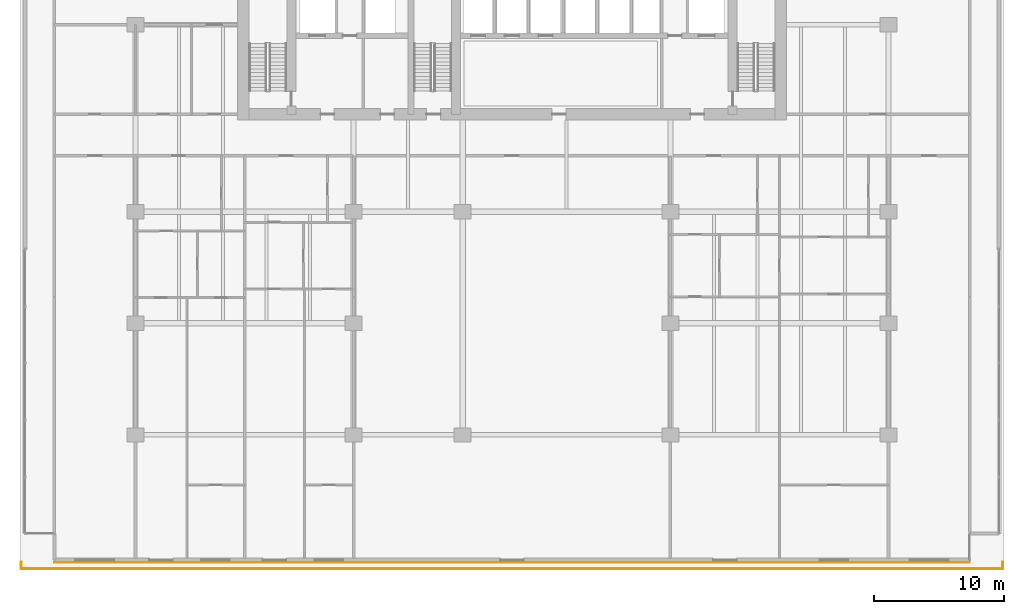
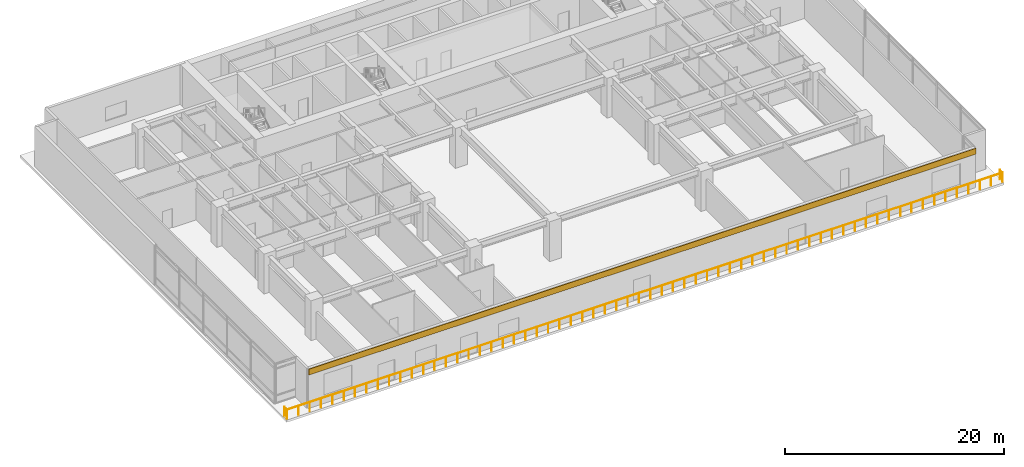
# One storey, part 11 of 13: 1 covering, 1 railing.
"""IFC4 building model written with IfcOpenShell, lengths in metres."""

import ifcopenshell
import ifcopenshell.guid

model = None  # the IFC model being written
_history = None  # IfcOwnerHistory: only IFC2X3 demands one
_inside = {}  # id of a spatial element -> (the spatial element, [elements in it])
_under = {}  # id of a project, library or spatial element -> (it, [spatial elements below it])
_declared = {}  # id of a project -> (the project, [libraries it declares])
_typed = {}  # id of a type object -> (the type object, [elements of that type])
_made_of = {}  # id of a material, layer set ... -> (it, [elements and type objects made of it])


def new_model(schema):
    """Start an empty IFC model of exactly this schema.

    Asked for "IFC4X3", IfcOpenShell would pick the latest addendum, in which some entities
    have other attributes; the version numbers below select the first issue.
    IFC2X3 requires an IfcOwnerHistory on every rooted entity: one is made here for all.
    """
    global model, _history
    if schema == "IFC4X3":
        model = ifcopenshell.file(schema_version=(4, 3, 0, 0))
    else:
        model = ifcopenshell.file(schema=schema)
    _inside.clear()
    _under.clear()
    _declared.clear()
    _typed.clear()
    _made_of.clear()
    _history = None
    if model.schema == "IFC2X3":
        org = make("IfcOrganization", Name="unknown")
        user = make(
            "IfcPersonAndOrganization",
            ThePerson=make("IfcPerson", FamilyName="unknown"),
            TheOrganization=org,
        )
        app = make(
            "IfcApplication",
            ApplicationDeveloper=org,
            Version="unknown",
            ApplicationFullName="unknown",
            ApplicationIdentifier="unknown",
        )
        _history = make(
            "IfcOwnerHistory",
            OwningUser=user,
            OwningApplication=app,
            ChangeAction="ADDED",
            CreationDate=0,
        )
    return model


def make(cls, **values):
    """One entity of the class cls with the attributes given. An attribute that is None is left unset."""
    return model.create_entity(
        cls, **{name: value for name, value in values.items() if value is not None}
    )


def rooted(cls, **values):
    """An entity with a GlobalId (a new one), such as an element, a storey or a relation."""
    return make(cls, GlobalId=ifcopenshell.guid.new(), OwnerHistory=_history, **values)


def si_unit(unit_type, name, prefix=None):
    """IfcSIUnit, for example si_unit("LENGTHUNIT", "METRE", prefix="MILLI")."""
    return make("IfcSIUnit", UnitType=unit_type, Prefix=prefix, Name=name)


def assignment(units):
    """IfcUnitAssignment: the units of a project."""
    return None if units is None else make("IfcUnitAssignment", Units=units)


def point(xyz):
    """IfcCartesianPoint."""
    return None if xyz is None else make("IfcCartesianPoint", Coordinates=xyz)


def direction(xyz):
    """IfcDirection."""
    return None if xyz is None else make("IfcDirection", DirectionRatios=xyz)


def frame(location, z_axis=None, x_axis=None):
    """IfcAxis2Placement3D, a coordinate frame: its origin and axes. An axis left out is left unset."""
    return make(
        "IfcAxis2Placement3D",
        Location=point(location),
        Axis=direction(z_axis),
        RefDirection=direction(x_axis),
    )


def frame_2d(location, x_axis=None):
    """IfcAxis2Placement2D, a coordinate frame in the plane: its origin and x axis."""
    return make(
        "IfcAxis2Placement2D", Location=point(location), RefDirection=direction(x_axis)
    )


def origin():
    """The frame at (0, 0, 0) with its axes left unset."""
    return frame((0.0, 0.0, 0.0))


def origin_2d():
    """The frame at (0, 0) in the plane with its x axis left unset."""
    return frame_2d((0.0, 0.0))


def place(relative_to, where):
    """IfcLocalPlacement: puts the frame where relative to a parent placement (None: the world)."""
    return make(
        "IfcLocalPlacement", PlacementRelTo=relative_to, RelativePlacement=where
    )


def context(
    kind, dimensions, precision=None, world=None, true_north=None, identifier=None
):
    """IfcGeometricRepresentationContext, for example the 3D "Model" context."""
    return make(
        "IfcGeometricRepresentationContext",
        ContextIdentifier=identifier,
        ContextType=kind,
        CoordinateSpaceDimension=dimensions,
        Precision=precision,
        WorldCoordinateSystem=world,
        TrueNorth=true_north,
    )


def subcontext(parent, identifier, kind, view, scale=None):
    """IfcGeometricRepresentationSubContext, for example "Body" below "Model"."""
    return make(
        "IfcGeometricRepresentationSubContext",
        ContextIdentifier=identifier,
        ContextType=kind,
        ParentContext=parent,
        TargetScale=scale,
        TargetView=view,
    )


def project(units=None, contexts=None):
    """IfcProject with its units and contexts."""
    return rooted(
        "IfcProject",
        Name="project",
        RepresentationContexts=contexts,
        UnitsInContext=assignment(units),
    )


def spatial(cls, under=None, at=None, **own):
    """A site, building, storey or space (cls), placed at a placement, below another one or the project."""
    s = rooted(cls, ObjectPlacement=at, **own)
    if under is not None:
        _under.setdefault(under.id(), (under, []))[1].append(s)
    return s


def profile(cls, at=None, kind="AREA", **sizes):
    """A parametric profile (cls). Its sizes go by their IFC names, for example OverallWidth=200.0."""
    return make(cls, ProfileType=kind, Position=at, **sizes)


def rectangle(**sizes):
    """IfcRectangleProfileDef."""
    return profile("IfcRectangleProfileDef", **sizes)


def circle(**sizes):
    """IfcCircleProfileDef."""
    return profile("IfcCircleProfileDef", **sizes)


def extrude(swept, where, along, depth):
    """IfcExtrudedAreaSolid: the profile swept, set in the frame where, extruded along a direction by depth."""
    return make(
        "IfcExtrudedAreaSolid",
        SweptArea=swept,
        Position=where,
        ExtrudedDirection=direction(along),
        Depth=depth,
    )


def shape(context_of_items, identifier, shape_type, items):
    """IfcShapeRepresentation: the items that make up one representation, for example the "Body"."""
    return make(
        "IfcShapeRepresentation",
        ContextOfItems=context_of_items,
        RepresentationIdentifier=identifier,
        RepresentationType=shape_type,
        Items=items,
    )


def material(Name=None, Category=None):
    """IfcMaterial."""
    return make("IfcMaterial", Name=Name, Category=Category)


def layer(
    of_material, thickness, ventilated=None, Name=None, Category=None, Priority=None
):
    """IfcMaterialLayer: one layer of a wall or slab, of a material (None: an air gap)."""
    return make(
        "IfcMaterialLayer",
        Material=of_material,
        LayerThickness=thickness,
        IsVentilated=ventilated,
        Name=Name,
        Category=Category,
        Priority=Priority,
    )


def layer_set(layers, Name=None):
    """IfcMaterialLayerSet."""
    return make("IfcMaterialLayerSet", MaterialLayers=layers, LayerSetName=Name)


def made_of(thing, what):
    """Note that an element or type object is made of a material, layer set ...; save() writes the relation."""
    if what is not None:
        _made_of.setdefault(what.id(), (what, []))[1].append(thing)
    return thing


def type_object(cls, material=None, **own):
    """A type object (cls), such as IfcWallType, which elements share."""
    return made_of(rooted(cls, **own), material)


def element(
    cls,
    number,
    at=None,
    inside=None,
    cuts=None,
    type_object=None,
    material=None,
    context=None,
    identifier="Body",
    shape_type=None,
    held_by="IfcProductDefinitionShape",
    body=None,
    shapes=None,
    **own,
):
    """One element of the class cls, such as IfcWall. Its Tag is "e" and its number.

    at: its placement. inside: the storey or other place that contains it. cuts: it is an
    opening in that element (IfcRelVoidsElement). A single representation is given by context,
    identifier, shape_type and body (its items); several are given by shapes. held_by: the class
    of the entity that holds the representations. save() writes the other relations.
    """
    e = rooted(cls, Tag="e%d" % number, ObjectPlacement=at, **own)
    if body is not None:
        shapes = [shape(context, identifier, shape_type, body)]
    if shapes is not None:
        e.Representation = make(held_by, Representations=shapes)
    if inside is not None:
        _inside.setdefault(inside.id(), (inside, []))[1].append(e)
    if cuts is not None:
        rooted(
            "IfcRelVoidsElement", RelatingBuildingElement=cuts, RelatedOpeningElement=e
        )
    if type_object is not None:
        _typed.setdefault(type_object.id(), (type_object, []))[1].append(e)
    return made_of(e, material)


def aggregate(whole, parts):
    """IfcRelAggregates: a whole, such as a stair, and the parts it consists of."""
    return rooted("IfcRelAggregates", RelatingObject=whole, RelatedObjects=parts)


def save(model, path):
    """Write the relations noted so far, then the file.

    IfcRelAggregates (storeys below a building ...), IfcRelContainedInSpatialStructure (elements
    in a storey), IfcRelDefinesByType, IfcRelAssociatesMaterial and IfcRelDeclares: one each for
    every whole, place, type object, material and project.
    """
    for whole, parts in _under.values():
        aggregate(whole, parts)
    for where, things in _inside.values():
        rooted(
            "IfcRelContainedInSpatialStructure",
            RelatedElements=things,
            RelatingStructure=where,
        )
    for kind, things in _typed.values():
        rooted("IfcRelDefinesByType", RelatedObjects=things, RelatingType=kind)
    for what, things in _made_of.values():
        rooted("IfcRelAssociatesMaterial", RelatedObjects=things, RelatingMaterial=what)
    for by, libraries in _declared.values():
        rooted("IfcRelDeclares", RelatingContext=by, RelatedDefinitions=libraries)
    model.write(path)


model = new_model("IFC4")

# Units and contexts
model_context = context("Model", 3, precision=1e-05, world=origin(), true_north=direction((0.0, 1.0)))
body_context = subcontext(model_context, "Body", "Model", "MODEL_VIEW")
ifc_project = project(units=[si_unit("LENGTHUNIT", "METRE"), si_unit("AREAUNIT", "SQUARE_METRE"), si_unit("VOLUMEUNIT", "CUBIC_METRE"), si_unit("PLANEANGLEUNIT", "RADIAN"), si_unit("MASSUNIT", "GRAM", prefix="KILO")], contexts=[model_context])

# Site, building, storey
site_placement = place(None, origin())
site = spatial("IfcSite", under=ifc_project, at=site_placement, CompositionType="ELEMENT")
building_placement = place(site_placement, origin())
building = spatial("IfcBuilding", under=site, at=building_placement, Name="Caelmar Bay Residences", CompositionType="ELEMENT")
storey_placement = place(building_placement, frame((0.0, 0.0, 19.800048828125)))
storey = spatial("IfcBuildingStorey", under=building, at=storey_placement, Name="L04", CompositionType="ELEMENT", Elevation=19.800048828125)

# Covering
ifc_material_1 = material(Name="Honed Florida oolitic limestone rainscreen 60 mm", Category="masonry")
ifc_layer = layer(ifc_material_1, 0.06005859375)
ifc_layer_set = layer_set([ifc_layer], Name="Honed Florida oolitic limestone rainscreen 60 mm")
covering_type = type_object("IfcCoveringType", Name="COV-CLAD-60", PredefinedType="CLADDING", material=ifc_layer_set)
covering_placement = place(storey_placement, frame((38.89990234375, 2.3701171875, 3.77490234375), z_axis=(0.0, 0.0, 1.0), x_axis=(1.0, 0.0, 0.0)))
element("IfcCovering", 1, at=covering_placement, inside=storey, type_object=covering_type, Name="L04 Oolitic Limestone Spandrel Cladding", PredefinedType="CLADDING", context=body_context, shape_type="SweptSolid", body=[
    extrude(rectangle(XDim=70.5, YDim=0.06005859375, at=origin_2d()), origin(), (0.0, 0.0, 1.0), 0.64990234375),
])

# Railing
ifc_material_2 = material(Name="Anodised bronze handrail with laminated hurricane glass infill", Category="glass")
railing_type = type_object("IfcRailingType", Name="RL-BAL-1100", PredefinedType="BALUSTRADE", material=ifc_material_2)
railing_placement = place(storey_placement, frame((1.10009765625, 2.39990234375, 0.0)))
element("IfcRailing", 2, at=railing_placement, inside=storey, type_object=railing_type, Name="L04 Planted Terrace Perimeter Balustrade", PredefinedType="BALUSTRADE", context=body_context, shape_type="SweptSolid", body=[
    extrude(circle(Radius=0.02392578125, at=origin_2d()), frame((0.0, 0.0, 1.076171875), z_axis=(0.0, -1.0, 0.0), x_axis=(1.0, 0.0, 0.0)), (0.0, 0.0, 1.0), 0.5),
    extrude(circle(Radius=0.02392578125, at=origin_2d()), frame((0.0, -0.5, 1.076171875), z_axis=(1.0, 0.0, 0.0), x_axis=(0.0, 1.0, 0.0)), (0.0, 0.0, 1.0), 75.599853515625),
    extrude(circle(Radius=0.02392578125, at=origin_2d()), frame((75.599853515625, -0.5, 1.076171875), z_axis=(0.0, 1.0, 0.0), x_axis=(-1.0, 0.0, 0.0)), (0.0, 0.0, 1.0), 0.5),
    extrude(circle(Radius=0.02099609375, at=origin_2d()), origin(), (0.0, 0.0, 1.0), 1.052001953125),
    extrude(circle(Radius=0.02099609375, at=origin_2d()), frame((0.0, -0.5, 0.0)), (0.0, 0.0, 1.0), 1.052001953125),
    extrude(circle(Radius=0.02099609375, at=origin_2d()), frame((1.199951171875, -0.5, 0.0)), (0.0, 0.0, 1.0), 1.052001953125),
    extrude(circle(Radius=0.02099609375, at=origin_2d()), frame((2.39990234375, -0.5, 0.0)), (0.0, 0.0, 1.0), 1.052001953125),
    extrude(circle(Radius=0.02099609375, at=origin_2d()), frame((3.60009765625, -0.5, 0.0)), (0.0, 0.0, 1.0), 1.052001953125),
    extrude(circle(Radius=0.02099609375, at=origin_2d()), frame((4.800048828125, -0.5, 0.0)), (0.0, 0.0, 1.0), 1.052001953125),
    extrude(circle(Radius=0.02099609375, at=origin_2d()), frame((6.0, -0.5, 0.0)), (0.0, 0.0, 1.0), 1.052001953125),
    extrude(circle(Radius=0.02099609375, at=origin_2d()), frame((7.199951171875, -0.5, 0.0)), (0.0, 0.0, 1.0), 1.052001953125),
    extrude(circle(Radius=0.02099609375, at=origin_2d()), frame((8.39990234375, -0.5, 0.0)), (0.0, 0.0, 1.0), 1.052001953125),
    extrude(circle(Radius=0.02099609375, at=origin_2d()), frame((9.60009765625, -0.5, 0.0)), (0.0, 0.0, 1.0), 1.052001953125),
    extrude(circle(Radius=0.02099609375, at=origin_2d()), frame((10.800048828125, -0.5, 0.0)), (0.0, 0.0, 1.0), 1.052001953125),
    extrude(circle(Radius=0.02099609375, at=origin_2d()), frame((12.0, -0.5, 0.0)), (0.0, 0.0, 1.0), 1.052001953125),
    extrude(circle(Radius=0.02099609375, at=origin_2d()), frame((13.199951171875, -0.5, 0.0)), (0.0, 0.0, 1.0), 1.052001953125),
    extrude(circle(Radius=0.02099609375, at=origin_2d()), frame((14.39990234375, -0.5, 0.0)), (0.0, 0.0, 1.0), 1.052001953125),
    extrude(circle(Radius=0.02099609375, at=origin_2d()), frame((15.599853515625, -0.5, 0.0)), (0.0, 0.0, 1.0), 1.052001953125),
    extrude(circle(Radius=0.02099609375, at=origin_2d()), frame((16.800048828125, -0.5, 0.0)), (0.0, 0.0, 1.0), 1.052001953125),
    extrude(circle(Radius=0.02099609375, at=origin_2d()), frame((18.0, -0.5, 0.0)), (0.0, 0.0, 1.0), 1.052001953125),
    extrude(circle(Radius=0.02099609375, at=origin_2d()), frame((19.199951171875, -0.5, 0.0)), (0.0, 0.0, 1.0), 1.052001953125),
    extrude(circle(Radius=0.02099609375, at=origin_2d()), frame((20.39990234375, -0.5, 0.0)), (0.0, 0.0, 1.0), 1.052001953125),
    extrude(circle(Radius=0.02099609375, at=origin_2d()), frame((21.599853515625, -0.5, 0.0)), (0.0, 0.0, 1.0), 1.052001953125),
    extrude(circle(Radius=0.02099609375, at=origin_2d()), frame((22.800048828125, -0.5, 0.0)), (0.0, 0.0, 1.0), 1.052001953125),
    extrude(circle(Radius=0.02099609375, at=origin_2d()), frame((24.0, -0.5, 0.0)), (0.0, 0.0, 1.0), 1.052001953125),
    extrude(circle(Radius=0.02099609375, at=origin_2d()), frame((25.199951171875, -0.5, 0.0)), (0.0, 0.0, 1.0), 1.052001953125),
    extrude(circle(Radius=0.02099609375, at=origin_2d()), frame((26.39990234375, -0.5, 0.0)), (0.0, 0.0, 1.0), 1.052001953125),
    extrude(circle(Radius=0.02099609375, at=origin_2d()), frame((27.599853515625, -0.5, 0.0)), (0.0, 0.0, 1.0), 1.052001953125),
    extrude(circle(Radius=0.02099609375, at=origin_2d()), frame((28.800048828125, -0.5, 0.0)), (0.0, 0.0, 1.0), 1.052001953125),
    extrude(circle(Radius=0.02099609375, at=origin_2d()), frame((30.0, -0.5, 0.0)), (0.0, 0.0, 1.0), 1.052001953125),
    extrude(circle(Radius=0.02099609375, at=origin_2d()), frame((31.199951171875, -0.5, 0.0)), (0.0, 0.0, 1.0), 1.052001953125),
    extrude(circle(Radius=0.02099609375, at=origin_2d()), frame((32.39990234375, -0.5, 0.0)), (0.0, 0.0, 1.0), 1.052001953125),
    extrude(circle(Radius=0.02099609375, at=origin_2d()), frame((33.599853515625, -0.5, 0.0)), (0.0, 0.0, 1.0), 1.052001953125),
    extrude(circle(Radius=0.02099609375, at=origin_2d()), frame((34.800048828125, -0.5, 0.0)), (0.0, 0.0, 1.0), 1.052001953125),
    extrude(circle(Radius=0.02099609375, at=origin_2d()), frame((36.0, -0.5, 0.0)), (0.0, 0.0, 1.0), 1.052001953125),
    extrude(circle(Radius=0.02099609375, at=origin_2d()), frame((37.199951171875, -0.5, 0.0)), (0.0, 0.0, 1.0), 1.052001953125),
    extrude(circle(Radius=0.02099609375, at=origin_2d()), frame((38.39990234375, -0.5, 0.0)), (0.0, 0.0, 1.0), 1.052001953125),
    extrude(circle(Radius=0.02099609375, at=origin_2d()), frame((39.599853515625, -0.5, 0.0)), (0.0, 0.0, 1.0), 1.052001953125),
    extrude(circle(Radius=0.02099609375, at=origin_2d()), frame((40.7998046875, -0.5, 0.0)), (0.0, 0.0, 1.0), 1.052001953125),
    extrude(circle(Radius=0.02099609375, at=origin_2d()), frame((42.0, -0.5, 0.0)), (0.0, 0.0, 1.0), 1.052001953125),
    extrude(circle(Radius=0.02099609375, at=origin_2d()), frame((43.199951171875, -0.5, 0.0)), (0.0, 0.0, 1.0), 1.052001953125),
    extrude(circle(Radius=0.02099609375, at=origin_2d()), frame((44.39990234375, -0.5, 0.0)), (0.0, 0.0, 1.0), 1.052001953125),
    extrude(circle(Radius=0.02099609375, at=origin_2d()), frame((45.599853515625, -0.5, 0.0)), (0.0, 0.0, 1.0), 1.052001953125),
    extrude(circle(Radius=0.02099609375, at=origin_2d()), frame((46.7998046875, -0.5, 0.0)), (0.0, 0.0, 1.0), 1.052001953125),
    extrude(circle(Radius=0.02099609375, at=origin_2d()), frame((48.0, -0.5, 0.0)), (0.0, 0.0, 1.0), 1.052001953125),
    extrude(circle(Radius=0.02099609375, at=origin_2d()), frame((49.199951171875, -0.5, 0.0)), (0.0, 0.0, 1.0), 1.052001953125),
    extrude(circle(Radius=0.02099609375, at=origin_2d()), frame((50.39990234375, -0.5, 0.0)), (0.0, 0.0, 1.0), 1.052001953125),
    extrude(circle(Radius=0.02099609375, at=origin_2d()), frame((51.599853515625, -0.5, 0.0)), (0.0, 0.0, 1.0), 1.052001953125),
    extrude(circle(Radius=0.02099609375, at=origin_2d()), frame((52.7998046875, -0.5, 0.0)), (0.0, 0.0, 1.0), 1.052001953125),
    extrude(circle(Radius=0.02099609375, at=origin_2d()), frame((54.0, -0.5, 0.0)), (0.0, 0.0, 1.0), 1.052001953125),
    extrude(circle(Radius=0.02099609375, at=origin_2d()), frame((55.199951171875, -0.5, 0.0)), (0.0, 0.0, 1.0), 1.052001953125),
    extrude(circle(Radius=0.02099609375, at=origin_2d()), frame((56.39990234375, -0.5, 0.0)), (0.0, 0.0, 1.0), 1.052001953125),
    extrude(circle(Radius=0.02099609375, at=origin_2d()), frame((57.599853515625, -0.5, 0.0)), (0.0, 0.0, 1.0), 1.052001953125),
    extrude(circle(Radius=0.02099609375, at=origin_2d()), frame((58.7998046875, -0.5, 0.0)), (0.0, 0.0, 1.0), 1.052001953125),
    extrude(circle(Radius=0.02099609375, at=origin_2d()), frame((60.0, -0.5, 0.0)), (0.0, 0.0, 1.0), 1.052001953125),
    extrude(circle(Radius=0.02099609375, at=origin_2d()), frame((61.199951171875, -0.5, 0.0)), (0.0, 0.0, 1.0), 1.052001953125),
    extrude(circle(Radius=0.02099609375, at=origin_2d()), frame((62.39990234375, -0.5, 0.0)), (0.0, 0.0, 1.0), 1.052001953125),
    extrude(circle(Radius=0.02099609375, at=origin_2d()), frame((63.599853515625, -0.5, 0.0)), (0.0, 0.0, 1.0), 1.052001953125),
    extrude(circle(Radius=0.02099609375, at=origin_2d()), frame((64.7998046875, -0.5, 0.0)), (0.0, 0.0, 1.0), 1.052001953125),
    extrude(circle(Radius=0.02099609375, at=origin_2d()), frame((65.999755859375, -0.5, 0.0)), (0.0, 0.0, 1.0), 1.052001953125),
    extrude(circle(Radius=0.02099609375, at=origin_2d()), frame((67.199951171875, -0.5, 0.0)), (0.0, 0.0, 1.0), 1.052001953125),
    extrude(circle(Radius=0.02099609375, at=origin_2d()), frame((68.39990234375, -0.5, 0.0)), (0.0, 0.0, 1.0), 1.052001953125),
    extrude(circle(Radius=0.02099609375, at=origin_2d()), frame((69.599853515625, -0.5, 0.0)), (0.0, 0.0, 1.0), 1.052001953125),
    extrude(circle(Radius=0.02099609375, at=origin_2d()), frame((70.7998046875, -0.5, 0.0)), (0.0, 0.0, 1.0), 1.052001953125),
    extrude(circle(Radius=0.02099609375, at=origin_2d()), frame((71.999755859375, -0.5, 0.0)), (0.0, 0.0, 1.0), 1.052001953125),
    extrude(circle(Radius=0.02099609375, at=origin_2d()), frame((73.199951171875, -0.5, 0.0)), (0.0, 0.0, 1.0), 1.052001953125),
    extrude(circle(Radius=0.02099609375, at=origin_2d()), frame((74.39990234375, -0.5, 0.0)), (0.0, 0.0, 1.0), 1.052001953125),
    extrude(circle(Radius=0.02099609375, at=origin_2d()), frame((75.599853515625, -0.5, 0.0)), (0.0, 0.0, 1.0), 1.052001953125),
    extrude(circle(Radius=0.02099609375, at=origin_2d()), frame((75.599853515625, 0.0, 0.0)), (0.0, 0.0, 1.0), 1.052001953125),
])

save(model, "model.ifc")
